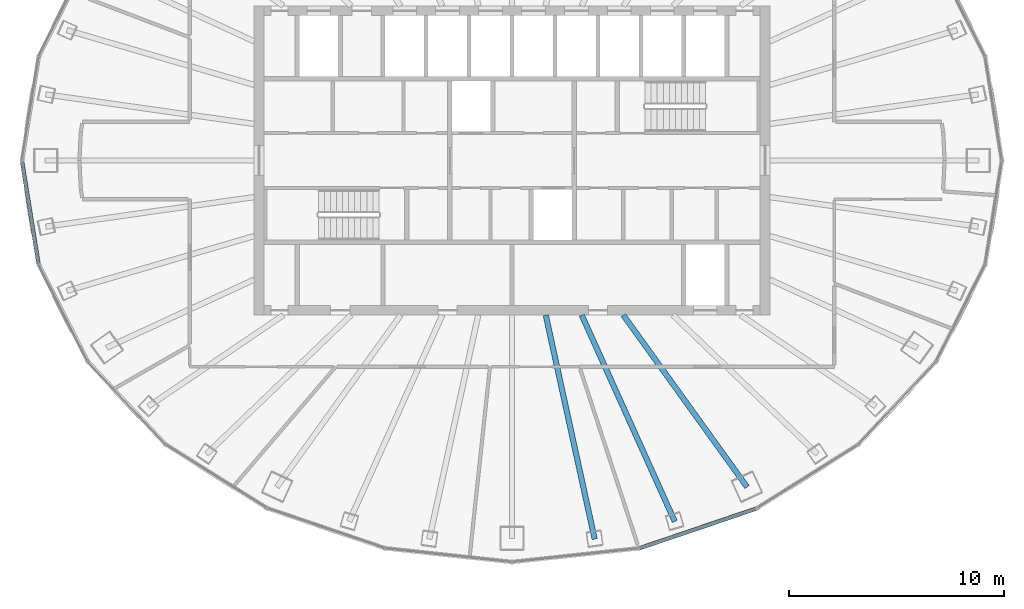
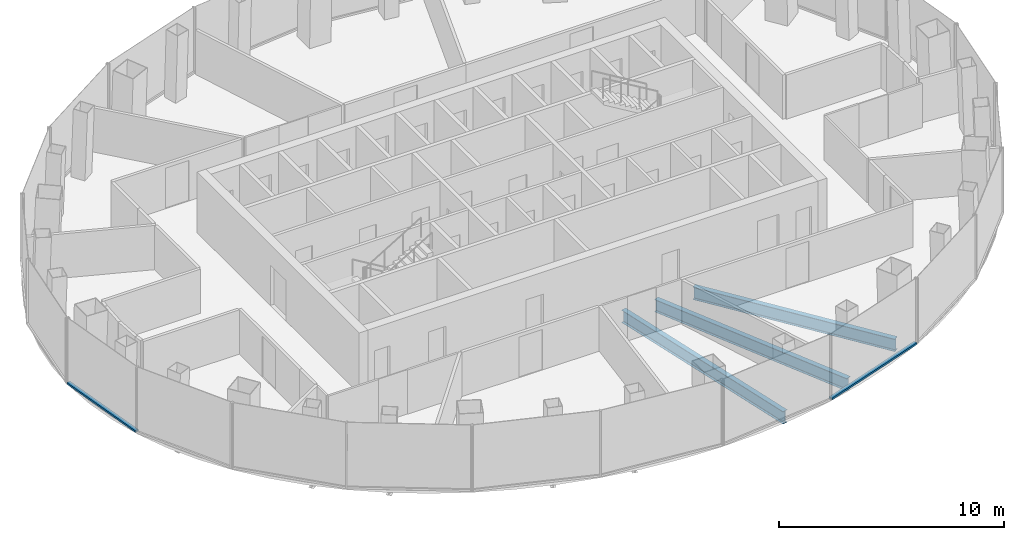
# One storey, part 3 of 11: 3 beams, 2 members, 2 elements without a shape of their own.
"""IFC4 building model written with IfcOpenShell, lengths in metres."""

from ifc_helpers import new_model, si_unit, direction, frame, origin, origin_2d, place, context, subcontext, project, spatial, rectangle, i_section, extrude, material, layer, layer_set, material_profile, profile_set, type_object, element, aggregate, save


model = new_model("IFC4")

# Units and contexts
model_context = context("Model", 3, precision=1e-05, world=origin(), true_north=direction((0.0, 1.0)))
body_context = subcontext(model_context, "Body", "Model", "MODEL_VIEW")
ifc_project = project(units=[si_unit("LENGTHUNIT", "METRE"), si_unit("AREAUNIT", "SQUARE_METRE"), si_unit("VOLUMEUNIT", "CUBIC_METRE"), si_unit("PLANEANGLEUNIT", "RADIAN"), si_unit("MASSUNIT", "GRAM", prefix="KILO")], contexts=[model_context])

# Site, building, storey
site_placement = place(None, origin())
site = spatial("IfcSite", under=ifc_project, at=site_placement, CompositionType="ELEMENT")
building_placement = place(site_placement, origin())
building = spatial("IfcBuilding", under=site, at=building_placement, Name="Siaravel Broadcast Tower", CompositionType="ELEMENT")
storey_placement = place(building_placement, frame((0.0, 0.0, 194.10009765625)))
storey = spatial("IfcBuildingStorey", under=building, at=storey_placement, Name="L47", CompositionType="ELEMENT", Elevation=194.10009765625)

# Beams
ifc_material_1 = material(Name="Steel S355", Category="steel")
ifc_material_profile_1 = material_profile(ifc_material_1, i_section(OverallWidth=0.2529296875, OverallDepth=0.677978515625, WebThickness=0.01171875, FlangeThickness=0.01611328125, FilletRadius=0.01513671875, at=origin_2d()))
ifc_profile_set_1 = profile_set([ifc_material_profile_1], Name="Steel S355")
beam_type = type_object("IfcBeamType", Name="BM-UB 686x254x125", PredefinedType="BEAM", material=ifc_profile_set_1)
beam_1_placement = place(storey_placement, frame((3.84912109375, -17.619873046875, -0.489013671875), z_axis=(-0.21342927, 0.976958519, 0.0), x_axis=(-0.976958519, -0.21342927, 0.0)))
element("IfcBeam", 1, at=beam_1_placement, inside=storey, type_object=beam_type, Name="Radial beam RB29", PredefinedType="BEAM", context=body_context, shape_type="SweptSolid", body=[
    extrude(i_section(OverallWidth=0.2529296875, OverallDepth=0.677978515625, WebThickness=0.01171875, FlangeThickness=0.01611328125, FilletRadius=0.01513671875, at=origin_2d()), origin(), (0.0, 0.0, 1.0), 10.665771484375),
])
beam_2_placement = place(storey_placement, frame((7.577880859375, -16.801513671875, -0.489013671875), z_axis=(-0.411143254, 0.911570746, 0.0), x_axis=(-0.911570746, -0.411143254, 0.0)))
element("IfcBeam", 2, at=beam_2_placement, inside=storey, type_object=beam_type, Name="Radial beam RB30", PredefinedType="BEAM", context=body_context, shape_type="SweptSolid", body=[
    extrude(i_section(OverallWidth=0.2529296875, OverallDepth=0.677978515625, WebThickness=0.01171875, FlangeThickness=0.01611328125, FilletRadius=0.01513671875, at=origin_2d()), origin(), (0.0, 0.0, 1.0), 10.532958984375),
])
beam_3_placement = place(storey_placement, frame((10.94189453125, -15.196533203125, -0.489013671875), z_axis=(-0.584323001, 0.811521183, 0.0), x_axis=(-0.811521183, -0.584323001, 0.0)))
element("IfcBeam", 3, at=beam_3_placement, inside=storey, type_object=beam_type, Name="Radial beam RB31", PredefinedType="BEAM", context=body_context, shape_type="SweptSolid", body=[
    extrude(i_section(OverallWidth=0.2529296875, OverallDepth=0.677978515625, WebThickness=0.01171875, FlangeThickness=0.01611328125, FilletRadius=0.01513671875, at=origin_2d()), origin(), (0.0, 0.0, 1.0), 9.853759765625),
])

# Curtain wall, member
ifc_material_2 = material(Name="Aluminium 6063-T6", Category="aluminium")
ifc_layer = layer(ifc_material_2, 0.179931640625)
ifc_layer_set = layer_set([ifc_layer], Name="Aluminium 6063-T6")
curtain_wall_type = type_object("IfcCurtainWallType", Name="Unitised curtain wall, zone 3", PredefinedType="NOTDEFINED", material=ifc_layer_set)
curtain_wall_1_placement = place(storey_placement, origin())
curtain_wall_1 = element("IfcCurtainWall", 4, at=curtain_wall_1_placement, inside=storey, type_object=curtain_wall_type, Name="L47 Unitised curtain wall, zone 3 07", PredefinedType="NOTDEFINED")
ifc_material_profile_2 = material_profile(ifc_material_2, rectangle(XDim=0.179931640625, YDim=0.10009765625, at=origin_2d()))
ifc_profile_set_2 = profile_set([ifc_material_profile_2], Name="Aluminium 6063-T6")
member_type = type_object("IfcMemberType", Name="CW-Z3 transom", PredefinedType="USERDEFINED", material=ifc_profile_set_2)
member_1_placement = place(storey_placement, frame((-22.80078125, -0.05908203125, 0.0498046875), z_axis=(0.158671031, -0.987331507, 0.0), x_axis=(0.987331507, 0.158671031, 0.0)))
member_1 = element("IfcMember", 5, at=member_1_placement, type_object=member_type, Name="CW-Z3 transom 1", ObjectType="TRANSOM", PredefinedType="USERDEFINED", context=body_context, shape_type="SweptSolid", body=[
    extrude(rectangle(XDim=0.179931640625, YDim=0.10009765625, at=origin_2d()), origin(), (0.0, 0.0, 1.0), 4.81298828125),
])
aggregate(curtain_wall_1, [member_1])

curtain_wall_2_placement = place(storey_placement, origin())
curtain_wall_2 = element("IfcCurtainWall", 6, at=curtain_wall_2_placement, inside=storey, type_object=curtain_wall_type, Name="L47 Unitised curtain wall, zone 3 10", PredefinedType="NOTDEFINED")
member_2_placement = place(storey_placement, frame((5.929931640625, -18.047119140625, 0.0498046875), z_axis=(0.946978932, 0.321295661, 0.0), x_axis=(-0.321295661, 0.946978932, 0.0)))
member_2 = element("IfcMember", 7, at=member_2_placement, type_object=member_type, Name="CW-Z3 transom 2", ObjectType="TRANSOM", PredefinedType="USERDEFINED", context=body_context, shape_type="SweptSolid", body=[
    extrude(rectangle(XDim=0.179931640625, YDim=0.10009765625, at=origin_2d()), origin(), (0.0, 0.0, 1.0), 5.718017578125),
])
aggregate(curtain_wall_2, [member_2])

save(model, "model.ifc")
